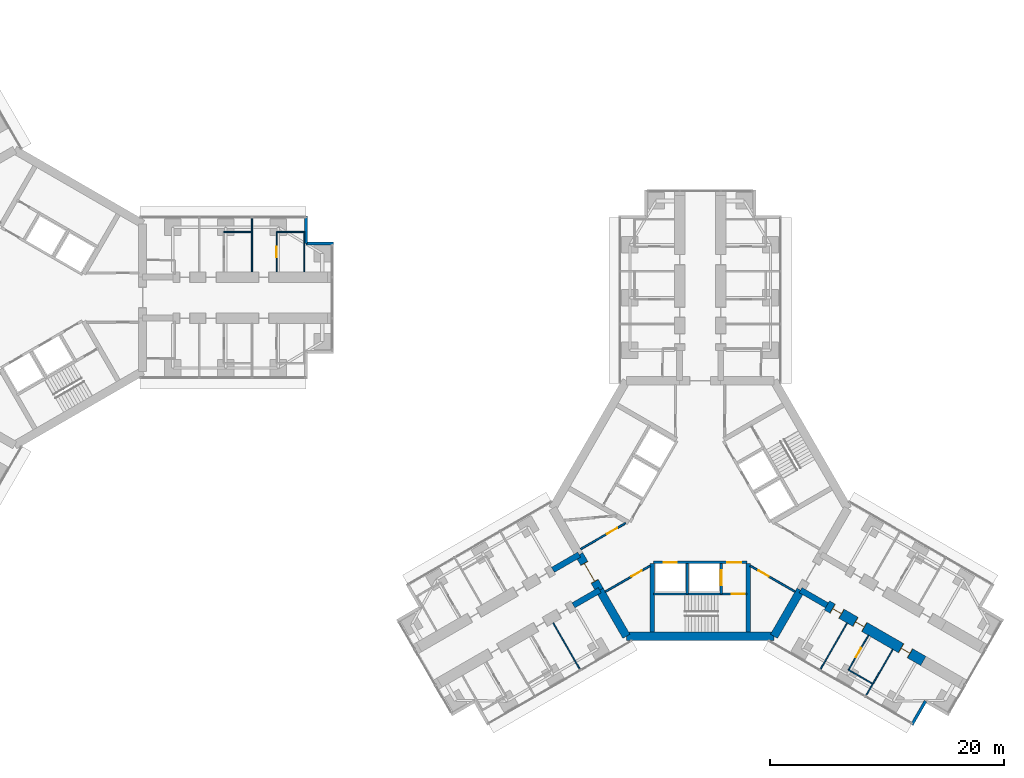
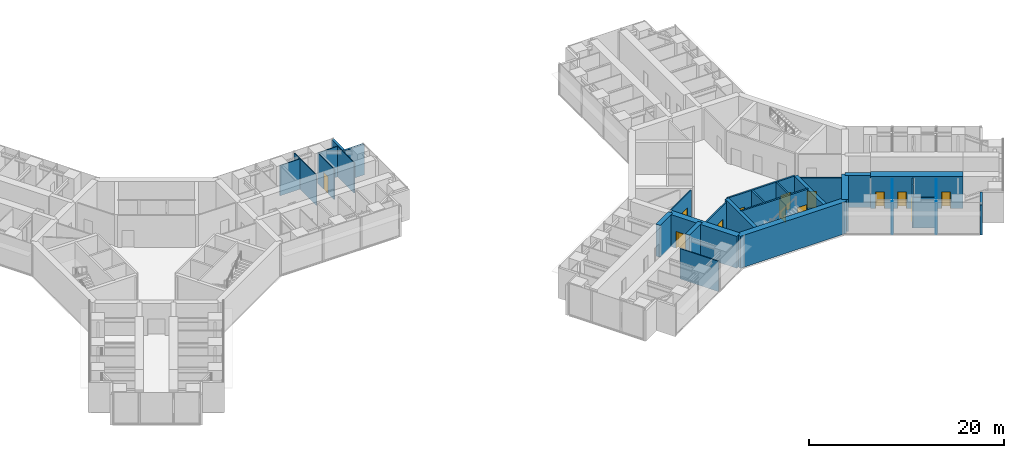
# One storey, part 20 of 25: 30 walls, 13 doors, 13 openings.
"""IFC4 building model written with IfcOpenShell, lengths in metres."""

from ifc_helpers import new_model, si_unit, direction, frame, frame_2d, origin, place, context, subcontext, project, spatial, rectangle, extrude, material, layer, layer_set, type_object, element, fill, save


model = new_model("IFC4")

# Units and contexts
model_context = context("Model", 3, precision=1e-05, world=origin(), true_north=direction((0.0, 1.0)))
body_context = subcontext(model_context, "Body", "Model", "MODEL_VIEW")
ifc_project = project(units=[si_unit("LENGTHUNIT", "METRE"), si_unit("AREAUNIT", "SQUARE_METRE"), si_unit("VOLUMEUNIT", "CUBIC_METRE"), si_unit("PLANEANGLEUNIT", "RADIAN"), si_unit("MASSUNIT", "GRAM", prefix="KILO")], contexts=[model_context])

# Site, building, storey
site_placement = place(None, origin())
site = spatial("IfcSite", under=ifc_project, at=site_placement, CompositionType="ELEMENT")
building_placement = place(site_placement, origin())
building = spatial("IfcBuilding", under=site, at=building_placement, Name="Upepo Twin Towers", CompositionType="ELEMENT")
storey_placement = place(building_placement, frame((0.0, 0.0, 84.5)))
storey = spatial("IfcBuildingStorey", under=building, at=storey_placement, Name="L20", CompositionType="ELEMENT", Elevation=84.5)

# Walls
ifc_material_1 = material(Name="Concrete C60/75", Category="concrete")
ifc_layer_1 = layer(ifc_material_1, 0.5)
ifc_layer_set_1 = layer_set([ifc_layer_1], Name="Concrete C60/75")
wall_type_1 = type_object("IfcWallType", Name="Buttress wall 500 RC", PredefinedType="SHEAR", material=ifc_layer_set_1)
for number, where, z_axis, x_axis, name in (
    (1, (49.92822265625, -24.9697265625, 0.0), (0.0, 0.0, 1.0), (-0.866031863473, -0.499988811324, 0.0), "T2 wing B buttress wall L"),
    (2, (48.17822265625, -21.938720703125, 0.0), (0.0, 0.0, 1.0), (-0.866072649678, -0.499918158782, 0.0), "T2 wing B buttress wall R"),
    (3, (67.07177734375, -24.9697265625, 0.0), (0.0, 0.0, 1.0), (0.866031863473, -0.499988811324, 0.0), "T2 wing C buttress wall R"),
):
    element("IfcWall", number, at=place(storey_placement, frame(where, z_axis=z_axis, x_axis=x_axis)), inside=storey, type_object=wall_type_1, Name=name, PredefinedType="SHEAR", context=body_context, shape_type="SweptSolid", body=[
        extrude(rectangle(XDim=2.591796875, YDim=0.5, at=frame_2d((1.2958984375, 0.0))), origin(), (0.0, 0.0, 1.0), 4.0),
    ])

# Wall, openings, doors
ifc_material_2 = material(Name="Concrete C60/75", Category="concrete")
ifc_layer_2 = layer(ifc_material_2, 0.89990234375)
ifc_layer_set_2 = layer_set([ifc_layer_2], Name="Concrete C60/75")
wall_type_2 = type_object("IfcWallType", Name="Buttress wall 900 RC", PredefinedType="SHEAR", material=ifc_layer_set_2)
wall_1_placement = place(storey_placement, frame((69.31640625, -26.265625, 0.0), z_axis=(0.0, 0.0, 1.0), x_axis=(0.86602681393, -0.499997557548, 0.0)))
wall_1 = element("IfcWall", 4, at=wall_1_placement, inside=storey, type_object=wall_type_2, Name="T2 wing C buttress wall R part 2", PredefinedType="SHEAR", context=body_context, shape_type="SweptSolid", body=[
    extrude(rectangle(XDim=9.5, YDim=0.89990234375, at=frame_2d((4.75, 0.0))), origin(), (0.0, 0.0, 1.0), 4.0),
])
opening_1_placement = place(wall_1_placement, frame((0.550048828125, 0.0, 0.0)))
opening_1 = element("IfcOpeningElement", 5, at=opening_1_placement, cuts=wall_1, Name="Opening D14", PredefinedType="OPENING", context=body_context, shape_type="SweptSolid", body=[
    extrude(rectangle(XDim=0.89990234375, YDim=2.10009765625, at=frame_2d((0.449951171875, 1.050048828125))), frame((0.0, 0.4599609375, 0.0), z_axis=(0.0, -1.0, 0.0), x_axis=(1.0, 0.0, 0.0)), (0.0, 0.0, 1.0), 0.919921875),
])
opening_2_placement = place(wall_1_placement, frame((2.800048828125, 0.0, 0.0)))
opening_2 = element("IfcOpeningElement", 6, at=opening_2_placement, cuts=wall_1, Name="Opening D14", PredefinedType="OPENING", context=body_context, shape_type="SweptSolid", body=[
    extrude(rectangle(XDim=0.89990234375, YDim=2.10009765625, at=frame_2d((0.449951171875, 1.050048828125))), frame((0.0, 0.4599609375, 0.0), z_axis=(0.0, -1.0, 0.0), x_axis=(1.0, 0.0, 0.0)), (0.0, 0.0, 1.0), 0.919921875),
])
opening_3_placement = place(wall_1_placement, frame((7.300048828125, 0.0, 0.0)))
opening_3 = element("IfcOpeningElement", 7, at=opening_3_placement, cuts=wall_1, Name="Opening D14", PredefinedType="OPENING", context=body_context, shape_type="SweptSolid", body=[
    extrude(rectangle(XDim=0.89990234375, YDim=2.10009765625, at=frame_2d((0.449951171875, 1.050048828125))), frame((0.0, 0.4599609375, 0.0), z_axis=(0.0, -1.0, 0.0), x_axis=(1.0, 0.0, 0.0)), (0.0, 0.0, 1.0), 0.919921875),
])
ifc_material_3 = material(Name="Timber doorset", Category="wood")
door_type_1 = type_object("IfcDoorType", Name="Office door 900 FD30", OperationType="SINGLE_SWING_LEFT", PredefinedType="DOOR", material=ifc_material_3)
door_1_placement = place(opening_1_placement, origin())
door_1 = element("IfcDoor", 8, at=door_1_placement, inside=storey, type_object=door_type_1, Name="T2 L20 meeting room door", OperationType="SINGLE_SWING_LEFT", OverallHeight=2.10009765625, OverallWidth=0.89990234375, PredefinedType="DOOR", context=body_context, shape_type="SweptSolid", body=[
    extrude(rectangle(XDim=0.81990234375, YDim=2.06009765625, at=frame_2d((0.449951171875, 1.030029296875))), frame((0.0, 0.02490234375, 0.0), z_axis=(0.0, -1.0, 0.0), x_axis=(1.0, 0.0, 0.0)), (0.0, 0.0, 1.0), 0.050048828125),
    extrude(rectangle(XDim=0.04, YDim=2.10009765625, at=frame_2d((0.02001953125, 1.050048828125))), frame((0.0, 0.44970703125, 0.0), z_axis=(0.0, -1.0, 0.0), x_axis=(1.0, 0.0, 0.0)), (0.0, 0.0, 1.0), 0.8994140625),
    extrude(rectangle(XDim=0.04, YDim=2.10009765625, at=frame_2d((0.8798828125, 1.050048828125))), frame((0.0, 0.44970703125, 0.0), z_axis=(0.0, -1.0, 0.0), x_axis=(1.0, 0.0, 0.0)), (0.0, 0.0, 1.0), 0.8994140625),
    extrude(rectangle(XDim=0.81990234375, YDim=0.04, at=frame_2d((0.449951171875, 2.080078125))), frame((0.0, 0.44970703125, 0.0), z_axis=(0.0, -1.0, 0.0), x_axis=(1.0, 0.0, 0.0)), (0.0, 0.0, 1.0), 0.8994140625),
])
fill(opening_1, door_1)
door_2_placement = place(opening_2_placement, origin())
door_2 = element("IfcDoor", 9, at=door_2_placement, inside=storey, type_object=door_type_1, Name="T2 L20 staff office door", OperationType="SINGLE_SWING_LEFT", OverallHeight=2.10009765625, OverallWidth=0.89990234375, PredefinedType="DOOR", context=body_context, shape_type="SweptSolid", body=[
    extrude(rectangle(XDim=0.81990234375, YDim=2.06009765625, at=frame_2d((0.449951171875, 1.030029296875))), frame((0.0, 0.02490234375, 0.0), z_axis=(0.0, -1.0, 0.0), x_axis=(1.0, 0.0, 0.0)), (0.0, 0.0, 1.0), 0.050048828125),
    extrude(rectangle(XDim=0.04, YDim=2.10009765625, at=frame_2d((0.02001953125, 1.050048828125))), frame((0.0, 0.44970703125, 0.0), z_axis=(0.0, -1.0, 0.0), x_axis=(1.0, 0.0, 0.0)), (0.0, 0.0, 1.0), 0.8994140625),
    extrude(rectangle(XDim=0.04, YDim=2.10009765625, at=frame_2d((0.8798828125, 1.050048828125))), frame((0.0, 0.44970703125, 0.0), z_axis=(0.0, -1.0, 0.0), x_axis=(1.0, 0.0, 0.0)), (0.0, 0.0, 1.0), 0.8994140625),
    extrude(rectangle(XDim=0.81990234375, YDim=0.04, at=frame_2d((0.449951171875, 2.080078125))), frame((0.0, 0.44970703125, 0.0), z_axis=(0.0, -1.0, 0.0), x_axis=(1.0, 0.0, 0.0)), (0.0, 0.0, 1.0), 0.8994140625),
])
fill(opening_2, door_2)
door_3_placement = place(opening_3_placement, origin())
door_3 = element("IfcDoor", 10, at=door_3_placement, inside=storey, type_object=door_type_1, Name="T2 L20 postgraduate office door", OperationType="SINGLE_SWING_RIGHT", OverallHeight=2.10009765625, OverallWidth=0.89990234375, PredefinedType="DOOR", context=body_context, shape_type="SweptSolid", body=[
    extrude(rectangle(XDim=0.81990234375, YDim=2.06009765625, at=frame_2d((0.449951171875, 1.030029296875))), frame((0.0, 0.02490234375, 0.0), z_axis=(0.0, -1.0, 0.0), x_axis=(1.0, 0.0, 0.0)), (0.0, 0.0, 1.0), 0.050048828125),
    extrude(rectangle(XDim=0.04, YDim=2.10009765625, at=frame_2d((0.02001953125, 1.050048828125))), frame((0.0, 0.44970703125, 0.0), z_axis=(0.0, -1.0, 0.0), x_axis=(1.0, 0.0, 0.0)), (0.0, 0.0, 1.0), 0.8994140625),
    extrude(rectangle(XDim=0.04, YDim=2.10009765625, at=frame_2d((0.8798828125, 1.050048828125))), frame((0.0, 0.44970703125, 0.0), z_axis=(0.0, -1.0, 0.0), x_axis=(1.0, 0.0, 0.0)), (0.0, 0.0, 1.0), 0.8994140625),
    extrude(rectangle(XDim=0.81990234375, YDim=0.04, at=frame_2d((0.449951171875, 2.080078125))), frame((0.0, 0.44970703125, 0.0), z_axis=(0.0, -1.0, 0.0), x_axis=(1.0, 0.0, 0.0)), (0.0, 0.0, 1.0), 0.8994140625),
])
fill(opening_3, door_3)

# Wall, opening, door
ifc_material_4 = material(Name="Concrete C60/75", Category="concrete")
ifc_layer_3 = layer(ifc_material_4, 0.699951171875)
ifc_layer_set_3 = layer_set([ifc_layer_3], Name="Concrete C60/75")
wall_type_3 = type_object("IfcWallType", Name="Core wall 700 RC", PredefinedType="SHEAR", material=ifc_layer_set_3)
wall_2_placement = place(storey_placement, frame((48.17822265625, -21.938720703125, 0.0), z_axis=(0.0, 0.0, 1.0), x_axis=(0.500010275428, -0.866019471182, 0.0)))
wall_2 = element("IfcWall", 11, at=wall_2_placement, inside=storey, type_object=wall_type_3, Name="T2 core wall 120", PredefinedType="SHEAR", context=body_context, shape_type="SweptSolid", body=[
    extrude(rectangle(XDim=3.5, YDim=0.699951171875, at=frame_2d((1.75, 0.0))), origin(), (0.0, 0.0, 1.0), 4.0),
])
opening_4_placement = place(wall_2_placement, frame((0.85009765625, 0.0, 0.0)))
opening_4 = element("IfcOpeningElement", 12, at=opening_4_placement, cuts=wall_2, Name="Opening D2", PredefinedType="OPENING", context=body_context, shape_type="SweptSolid", body=[
    extrude(rectangle(XDim=1.800048828125, YDim=2.10009765625, at=frame_2d((0.89990234375, 1.050048828125))), frame((0.0, 0.35986328125, 0.0), z_axis=(0.0, -1.0, 0.0), x_axis=(1.0, 0.0, 0.0)), (0.0, 0.0, 1.0), 0.719970703125),
])
ifc_material_5 = material(Name="Timber doorset", Category="wood")
door_type_2 = type_object("IfcDoorType", Name="Corridor double door 1800 FD60", OperationType="DOUBLE_DOOR_DOUBLE_SWING", PredefinedType="DOOR", material=ifc_material_5)
door_4_placement = place(opening_4_placement, origin())
door_4 = element("IfcDoor", 13, at=door_4_placement, inside=storey, type_object=door_type_2, Name="T2 L20 wing B corridor door", OperationType="DOUBLE_DOOR_DOUBLE_SWING", OverallHeight=2.10009765625, OverallWidth=1.800048828125, PredefinedType="DOOR", context=body_context, shape_type="SweptSolid", body=[
    extrude(rectangle(XDim=1.720048828125, YDim=2.06009765625, at=frame_2d((0.89990234375, 1.030029296875))), frame((0.0, 0.02490234375, 0.0), z_axis=(0.0, -1.0, 0.0), x_axis=(1.0, 0.0, 0.0)), (0.0, 0.0, 1.0), 0.050048828125),
    extrude(rectangle(XDim=0.04, YDim=2.10009765625, at=frame_2d((0.02001953125, 1.050048828125))), frame((0.0, 0.349609375, 0.0), z_axis=(0.0, -1.0, 0.0), x_axis=(1.0, 0.0, 0.0)), (0.0, 0.0, 1.0), 0.699462890625),
    extrude(rectangle(XDim=0.04, YDim=2.10009765625, at=frame_2d((1.780029296875, 1.050048828125))), frame((0.0, 0.349609375, 0.0), z_axis=(0.0, -1.0, 0.0), x_axis=(1.0, 0.0, 0.0)), (0.0, 0.0, 1.0), 0.699462890625),
    extrude(rectangle(XDim=1.720048828125, YDim=0.04, at=frame_2d((0.89990234375, 2.080078125))), frame((0.0, 0.349609375, 0.0), z_axis=(0.0, -1.0, 0.0), x_axis=(1.0, 0.0, 0.0)), (0.0, 0.0, 1.0), 0.699462890625),
])
fill(opening_4, door_4)

# Walls
wall_3_placement = place(storey_placement, frame((49.92822265625, -24.9697265625, 0.0), z_axis=(0.0, 0.0, 1.0), x_axis=(0.499984222037, -0.866034513004, 0.0)))
element("IfcWall", 14, at=wall_3_placement, inside=storey, type_object=wall_type_3, Name="T2 core wall 120 L", PredefinedType="SHEAR", context=body_context, shape_type="SweptSolid", body=[
    extrude(rectangle(XDim=4.548095703125, YDim=0.699951171875, at=frame_2d((2.27392578125, 0.0))), origin(), (0.0, 0.0, 1.0), 4.0),
])
wall_4_placement = place(storey_placement, frame((52.2021484375, -28.908447265625, 0.0), z_axis=(0.0, 0.0, 1.0), x_axis=(1.0, 0.0, 0.0)))
element("IfcWall", 15, at=wall_4_placement, inside=storey, type_object=wall_type_3, Name="T2 core wall 180", PredefinedType="SHEAR", context=body_context, shape_type="SweptSolid", body=[
    extrude(rectangle(XDim=12.595703125, YDim=0.699951171875, at=frame_2d((6.2978515625, 0.0))), origin(), (0.0, 0.0, 1.0), 4.0),
])
wall_5_placement = place(storey_placement, frame((64.7978515625, -28.908447265625, 0.0), z_axis=(0.0, 0.0, 1.0), x_axis=(0.499984222037, 0.866034513004, 0.0)))
element("IfcWall", 16, at=wall_5_placement, inside=storey, type_object=wall_type_3, Name="T2 core wall 240 R", PredefinedType="SHEAR", context=body_context, shape_type="SweptSolid", body=[
    extrude(rectangle(XDim=4.548095703125, YDim=0.699951171875, at=frame_2d((2.27392578125, 0.0))), origin(), (0.0, 0.0, 1.0), 4.0),
])
ifc_material_6 = material(Name="Blockwork with anodised aluminium cladding", Category="masonry")
ifc_layer_4 = layer(ifc_material_6, 0.25)
ifc_layer_set_4 = layer_set([ifc_layer_4], Name="Notch cladding wall 250, pale metal")
wall_type_4 = type_object("IfcWallType", Name="Notch cladding wall 250, pale metal", PredefinedType="STANDARD", material=ifc_layer_set_4)
for number, where, z_axis, x_axis, name in (
    (17, (24.875, 6.949951171875, 0.0), (0.0, 0.0, 1.0), (0.0, -1.0, 0.0), "T1 L20 wing A notch wall L1"),
    (18, (24.875, 4.625, 0.0), (0.0, 0.0, 1.0), (1.0, 0.0, 0.0), "T1 L20 wing A notch wall L2"),
    (19, (76.5673828125, -36.456298828125, 0.0), (0.0, 0.0, 1.0), (0.500046648681, 0.865998469481, 0.0), "T2 L20 wing C notch wall R1"),
):
    element("IfcWall", number, at=place(storey_placement, frame(where, z_axis=z_axis, x_axis=x_axis)), inside=storey, type_object=wall_type_4, Name=name, PredefinedType="STANDARD", context=body_context, shape_type="SweptSolid", body=[
        extrude(rectangle(XDim=2.324951171875, YDim=0.25, at=frame_2d((1.16259765625, 0.0))), origin(), (0.0, 0.0, 1.0), 3.800048828125),
    ])
ifc_material_7 = material(Name="Gypsum board on steel studs", Category="steel")
ifc_layer_5 = layer(ifc_material_7, 0.10009765625)
ifc_layer_set_5 = layer_set([ifc_layer_5], Name="Office partition 100 stud")
wall_type_5 = type_object("IfcWallType", Name="Office partition 100 stud", PredefinedType="PARTITIONING", material=ifc_layer_set_5)
wall_6_placement = place(storey_placement, frame((20.25, 2.199951171875, 0.0), z_axis=(0.0, 0.0, 1.0), x_axis=(0.0, 1.0, 0.0)))
element("IfcWall", 20, at=wall_6_placement, inside=storey, type_object=wall_type_5, Name="T1 partition AL at 20.25", PredefinedType="PARTITIONING", context=body_context, shape_type="SweptSolid", body=[
    extrude(rectangle(XDim=4.550048828125, YDim=0.10009765625, at=frame_2d((2.27490234375, 0.0))), origin(), (0.0, 0.0, 1.0), 3.800048828125),
])
for number, where, z_axis, x_axis, name in (
    (21, (17.85009765625, 5.60009765625, 0.0), (0.0, 0.0, 1.0), (1.0, 0.0, 0.0), "T1 inner room partition AL at 17.85"),
    (22, (22.35009765625, 5.60009765625, 0.0), (0.0, 0.0, 1.0), (1.0, 0.0, 0.0), "T1 inner room partition AL at 22.35"),
):
    element("IfcWall", number, at=place(storey_placement, frame(where, z_axis=z_axis, x_axis=x_axis)), inside=storey, type_object=wall_type_5, Name=name, PredefinedType="PARTITIONING", context=body_context, shape_type="SweptSolid", body=[
        extrude(rectangle(XDim=2.39990234375, YDim=0.10009765625, at=frame_2d((1.199951171875, 0.0))), origin(), (0.0, 0.0, 1.0), 3.800048828125),
    ])

# Wall, opening, door
wall_7_placement = place(storey_placement, frame((22.35009765625, 2.199951171875, 0.0), z_axis=(0.0, 0.0, 1.0), x_axis=(0.0, 1.0, 0.0)))
wall_7 = element("IfcWall", 23, at=wall_7_placement, inside=storey, type_object=wall_type_5, Name="T1 inner room partition AL end at 22.35", PredefinedType="PARTITIONING", context=body_context, shape_type="SweptSolid", body=[
    extrude(rectangle(XDim=3.400146484375, YDim=0.10009765625, at=frame_2d((1.7001953125, 0.0))), origin(), (0.0, 0.0, 1.0), 3.800048828125),
])
opening_5_placement = place(wall_7_placement, frame((1.25, 0.0, 0.0)))
opening_5 = element("IfcOpeningElement", 24, at=opening_5_placement, cuts=wall_7, Name="Opening D14", PredefinedType="OPENING", context=body_context, shape_type="SweptSolid", body=[
    extrude(rectangle(XDim=0.89990234375, YDim=2.10009765625, at=frame_2d((0.449951171875, 1.050048828125))), frame((0.0, 0.06005859375, 0.0), z_axis=(0.0, -1.0, 0.0), x_axis=(1.0, 0.0, 0.0)), (0.0, 0.0, 1.0), 0.1201171875),
])
door_5_placement = place(opening_5_placement, origin())
door_5 = element("IfcDoor", 25, at=door_5_placement, inside=storey, type_object=door_type_1, Name="T1 L20 inner room door", OperationType="SINGLE_SWING_LEFT", OverallHeight=2.10009765625, OverallWidth=0.89990234375, PredefinedType="DOOR", context=body_context, shape_type="SweptSolid", body=[
    extrude(rectangle(XDim=0.89990234375, YDim=2.10009765625, at=frame_2d((0.449951171875, 1.050048828125))), frame((0.0, 0.02490234375, 0.0), z_axis=(0.0, -1.0, 0.0), x_axis=(1.0, 0.0, 0.0)), (0.0, 0.0, 1.0), 0.050048828125),
])
fill(opening_5, door_5)

# Walls
wall_8_placement = place(storey_placement, frame((24.699951171875, 2.199951171875, 0.0), z_axis=(0.0, 0.0, 1.0), x_axis=(0.0, 1.0, 0.0)))
element("IfcWall", 26, at=wall_8_placement, inside=storey, type_object=wall_type_5, Name="T1 inner room partition AL end at 24.75", PredefinedType="PARTITIONING", context=body_context, shape_type="SweptSolid", body=[
    extrude(rectangle(XDim=3.400146484375, YDim=0.10009765625, at=frame_2d((1.7001953125, 0.0))), origin(), (0.0, 0.0, 1.0), 3.800048828125),
])
for number, where, z_axis, x_axis, name in (
    (27, (45.960205078125, -27.7802734375, 0.0), (0.0, 0.0, 1.0), (0.499982560684, -0.866035472144, 0.0), "T2 partition BL at 15.75"),
    (28, (71.039794921875, -27.7802734375, 0.0), (0.0, 0.0, 1.0), (-0.499982560684, -0.866035472144, 0.0), "T2 partition CR at 15.75"),
    (29, (74.93701171875, -30.0302734375, 0.0), (0.0, 0.0, 1.0), (-0.499982560684, -0.866035472144, 0.0), "T2 partition CR at 20.25"),
):
    element("IfcWall", number, at=place(storey_placement, frame(where, z_axis=z_axis, x_axis=x_axis)), inside=storey, type_object=wall_type_5, Name=name, PredefinedType="PARTITIONING", context=body_context, shape_type="SweptSolid", body=[
        extrude(rectangle(XDim=4.550048828125, YDim=0.10009765625, at=frame_2d((2.27490234375, 0.0))), origin(), (0.0, 0.0, 1.0), 3.800048828125),
    ])
wall_9_placement = place(storey_placement, frame((71.158447265625, -31.774658203125, 0.0), z_axis=(0.0, 0.0, 1.0), x_axis=(0.866006032174, -0.500033551112, 0.0)))
element("IfcWall", 30, at=wall_9_placement, inside=storey, type_object=wall_type_5, Name="T2 inner room partition CR at 17.85", PredefinedType="PARTITIONING", context=body_context, shape_type="SweptSolid", body=[
    extrude(rectangle(XDim=2.400146484375, YDim=0.10009765625, at=frame_2d((1.2001953125, 0.0))), origin(), (0.0, 0.0, 1.0), 3.800048828125),
])

# Wall, opening, door
wall_10_placement = place(storey_placement, frame((72.858642578125, -28.830322265625, 0.0), z_axis=(0.0, 0.0, 1.0), x_axis=(-0.500062241894, -0.865989465428, 0.0)))
wall_10 = element("IfcWall", 31, at=wall_10_placement, inside=storey, type_object=wall_type_5, Name="T2 inner room partition CR end at 17.85", PredefinedType="PARTITIONING", context=body_context, shape_type="SweptSolid", body=[
    extrude(rectangle(XDim=3.39990234375, YDim=0.10009765625, at=frame_2d((1.699951171875, 0.0))), origin(), (0.0, 0.0, 1.0), 3.800048828125),
])
opening_6_placement = place(wall_10_placement, frame((1.25, 0.0, 0.0)))
opening_6 = element("IfcOpeningElement", 32, at=opening_6_placement, cuts=wall_10, Name="Opening D14", PredefinedType="OPENING", context=body_context, shape_type="SweptSolid", body=[
    extrude(rectangle(XDim=0.89990234375, YDim=2.10009765625, at=frame_2d((0.449951171875, 1.050048828125))), frame((0.0, 0.06005859375, 0.0), z_axis=(0.0, -1.0, 0.0), x_axis=(1.0, 0.0, 0.0)), (0.0, 0.0, 1.0), 0.1201171875),
])
door_6_placement = place(opening_6_placement, origin())
door_6 = element("IfcDoor", 33, at=door_6_placement, inside=storey, type_object=door_type_1, Name="T2 L20 inner room door", OperationType="SINGLE_SWING_LEFT", OverallHeight=2.10009765625, OverallWidth=0.89990234375, PredefinedType="DOOR", context=body_context, shape_type="SweptSolid", body=[
    extrude(rectangle(XDim=0.89990234375, YDim=2.10009765625, at=frame_2d((0.449951171875, 1.050048828125))), frame((0.0, 0.02490234375, 0.0), z_axis=(0.0, -1.0, 0.0), x_axis=(1.0, 0.0, 0.0)), (0.0, 0.0, 1.0), 0.050048828125),
])
fill(opening_6, door_6)

# Wall, openings, doors
ifc_material_8 = material(Name="Concrete C40/50", Category="concrete")
ifc_layer_6 = layer(ifc_material_8, 0.199951171875)
ifc_layer_set_6 = layer_set([ifc_layer_6], Name="Concrete C40/50")
wall_type_6 = type_object("IfcWallType", Name="Shaft wall 200 RC", PredefinedType="SHEAR", material=ifc_layer_set_6)
wall_11_placement = place(storey_placement, frame((54.5, -22.60009765625, 0.0), z_axis=(0.0, 0.0, 1.0), x_axis=(1.0, 0.0, 0.0)))
wall_11 = element("IfcWall", 34, at=wall_11_placement, inside=storey, type_object=wall_type_6, Name="T2 core W180 front wall", PredefinedType="SHEAR", context=body_context, shape_type="SweptSolid", body=[
    extrude(rectangle(XDim=8.0, YDim=0.199951171875, at=frame_2d((4.0, 0.0))), origin(), (0.0, 0.0, 1.0), 4.0),
])
opening_7_placement = place(wall_11_placement, frame((6.300048828125, 0.0, 0.0)))
opening_7 = element("IfcOpeningElement", 35, at=opening_7_placement, cuts=wall_11, Name="Opening D4", PredefinedType="OPENING", context=body_context, shape_type="SweptSolid", body=[
    extrude(rectangle(XDim=1.199951171875, YDim=2.10009765625, at=frame_2d((0.60009765625, 1.050048828125))), frame((0.0, 0.10986328125, 0.0), z_axis=(0.0, -1.0, 0.0), x_axis=(1.0, 0.0, 0.0)), (0.0, 0.0, 1.0), 0.219970703125),
])
opening_8_placement = place(wall_11_placement, frame((0.89990234375, 0.0, 0.0)))
opening_8 = element("IfcOpeningElement", 36, at=opening_8_placement, cuts=wall_11, Name="Opening LD1", PredefinedType="OPENING", context=body_context, shape_type="SweptSolid", body=[
    extrude(rectangle(XDim=1.10009765625, YDim=2.199951171875, at=frame_2d((0.550048828125, 1.10009765625))), frame((0.0, 0.10986328125, 0.0), z_axis=(0.0, -1.0, 0.0), x_axis=(1.0, 0.0, 0.0)), (0.0, 0.0, 1.0), 0.219970703125),
])
ifc_material_9 = material(Name="Steel doorset", Category="steel")
door_type_3 = type_object("IfcDoorType", Name="Lift landing door 1100", OperationType="DOUBLE_DOOR_SLIDING", PredefinedType="DOOR", material=ifc_material_9)
door_7_placement = place(opening_8_placement, origin())
door_7 = element("IfcDoor", 37, at=door_7_placement, inside=storey, type_object=door_type_3, Name="T2 L20 lift SV1 landing door", OperationType="DOUBLE_DOOR_SLIDING", OverallHeight=2.199951171875, OverallWidth=1.10009765625, PredefinedType="DOOR", context=body_context, shape_type="SweptSolid", body=[
    extrude(rectangle(XDim=1.10009765625, YDim=2.199951171875, at=frame_2d((0.550048828125, 1.10009765625))), frame((0.0, 0.02490234375, 0.0), z_axis=(0.0, -1.0, 0.0), x_axis=(1.0, 0.0, 0.0)), (0.0, 0.0, 1.0), 0.050048828125),
])
fill(opening_8, door_7)
ifc_material_10 = material(Name="Timber doorset", Category="wood")
door_type_4 = type_object("IfcDoorType", Name="Lobby door 1200 FD60", OperationType="SINGLE_SWING_LEFT", PredefinedType="DOOR", material=ifc_material_10)
door_8_placement = place(opening_7_placement, origin())
door_8 = element("IfcDoor", 38, at=door_8_placement, inside=storey, type_object=door_type_4, Name="T2 L20 W180 lobby door", OperationType="SINGLE_SWING_RIGHT", OverallHeight=2.10009765625, OverallWidth=1.199951171875, PredefinedType="DOOR", context=body_context, shape_type="SweptSolid", body=[
    extrude(rectangle(XDim=1.199951171875, YDim=2.10009765625, at=frame_2d((0.60009765625, 1.050048828125))), frame((0.0, 0.02490234375, 0.0), z_axis=(0.0, -1.0, 0.0), x_axis=(1.0, 0.0, 0.0)), (0.0, 0.0, 1.0), 0.050048828125),
])
fill(opening_7, door_8)

# Wall
wall_12_placement = place(storey_placement, frame((57.39990234375, -22.699951171875, 0.0), z_axis=(0.0, 0.0, 1.0), x_axis=(0.0, -1.0, 0.0)))
element("IfcWall", 39, at=wall_12_placement, inside=storey, type_object=wall_type_6, Name="T2 core W180 shaft divider", PredefinedType="SHEAR", context=body_context, shape_type="SweptSolid", body=[
    extrude(rectangle(XDim=2.60009765625, YDim=0.199951171875, at=frame_2d((1.300048828125, 0.0))), origin(), (0.0, 0.0, 1.0), 4.0),
])

# Wall, opening, door
wall_13_placement = place(storey_placement, frame((60.300048828125, -22.699951171875, 0.0), z_axis=(0.0, 0.0, 1.0), x_axis=(0.0, -1.0, 0.0)))
wall_13 = element("IfcWall", 40, at=wall_13_placement, inside=storey, type_object=wall_type_6, Name="T2 core W180 lobby wall", PredefinedType="SHEAR", context=body_context, shape_type="SweptSolid", body=[
    extrude(rectangle(XDim=2.60009765625, YDim=0.199951171875, at=frame_2d((1.300048828125, 0.0))), origin(), (0.0, 0.0, 1.0), 4.0),
])
opening_9_placement = place(wall_13_placement, frame((0.550048828125, 0.0, 0.0)))
opening_9 = element("IfcOpeningElement", 41, at=opening_9_placement, cuts=wall_13, Name="Opening LD2", PredefinedType="OPENING", context=body_context, shape_type="SweptSolid", body=[
    extrude(rectangle(XDim=1.300048828125, YDim=2.199951171875, at=frame_2d((0.64990234375, 1.10009765625))), frame((0.0, 0.10986328125, 0.0), z_axis=(0.0, -1.0, 0.0), x_axis=(1.0, 0.0, 0.0)), (0.0, 0.0, 1.0), 0.219970703125),
])
ifc_material_11 = material(Name="Steel doorset", Category="steel")
door_type_5 = type_object("IfcDoorType", Name="Firefighting lift landing door 1300", OperationType="DOUBLE_DOOR_SLIDING", PredefinedType="DOOR", material=ifc_material_11)
door_9_placement = place(opening_9_placement, origin())
door_9 = element("IfcDoor", 42, at=door_9_placement, inside=storey, type_object=door_type_5, Name="T2 L20 firefighting lift landing door", OperationType="DOUBLE_DOOR_SLIDING", OverallHeight=2.199951171875, OverallWidth=1.300048828125, PredefinedType="DOOR", context=body_context, shape_type="SweptSolid", body=[
    extrude(rectangle(XDim=1.300048828125, YDim=2.199951171875, at=frame_2d((0.64990234375, 1.10009765625))), frame((0.0, 0.02490234375, 0.0), z_axis=(0.0, -1.0, 0.0), x_axis=(1.0, 0.0, 0.0)), (0.0, 0.0, 1.0), 0.050048828125),
])
fill(opening_9, door_9)

wall_14_placement = place(storey_placement, frame((54.5, -25.300048828125, 0.0), z_axis=(0.0, 0.0, 1.0), x_axis=(1.0, 0.0, 0.0)))
wall_14 = element("IfcWall", 43, at=wall_14_placement, inside=storey, type_object=wall_type_6, Name="T2 core W180 stair wall", PredefinedType="SHEAR", context=body_context, shape_type="SweptSolid", body=[
    extrude(rectangle(XDim=8.0, YDim=0.199951171875, at=frame_2d((4.0, 0.0))), origin(), (0.0, 0.0, 1.0), 4.0),
])
opening_10_placement = place(wall_14_placement, frame((6.699951171875, 0.0, 0.0)))
opening_10 = element("IfcOpeningElement", 44, at=opening_10_placement, cuts=wall_14, Name="Opening D3", PredefinedType="OPENING", context=body_context, shape_type="SweptSolid", body=[
    extrude(rectangle(XDim=1.10009765625, YDim=2.10009765625, at=frame_2d((0.550048828125, 1.050048828125))), frame((0.0, 0.10986328125, 0.0), z_axis=(0.0, -1.0, 0.0), x_axis=(1.0, 0.0, 0.0)), (0.0, 0.0, 1.0), 0.219970703125),
])
ifc_material_12 = material(Name="Timber doorset", Category="wood")
door_type_6 = type_object("IfcDoorType", Name="Stair door 1100 FD60", OperationType="SINGLE_SWING_LEFT", PredefinedType="DOOR", material=ifc_material_12)
door_10_placement = place(opening_10_placement, origin())
door_10 = element("IfcDoor", 45, at=door_10_placement, inside=storey, type_object=door_type_6, Name="T2 L20 stair door", OperationType="SINGLE_SWING_RIGHT", OverallHeight=2.10009765625, OverallWidth=1.10009765625, PredefinedType="DOOR", context=body_context, shape_type="SweptSolid", body=[
    extrude(rectangle(XDim=1.10009765625, YDim=2.10009765625, at=frame_2d((0.550048828125, 1.050048828125))), frame((0.0, 0.02490234375, 0.0), z_axis=(0.0, -1.0, 0.0), x_axis=(1.0, 0.0, 0.0)), (0.0, 0.0, 1.0), 0.050048828125),
])
fill(opening_10, door_10)

# Walls
ifc_material_13 = material(Name="Concrete C40/50", Category="concrete")
ifc_layer_7 = layer(ifc_material_13, 0.39990234375)
ifc_layer_set_7 = layer_set([ifc_layer_7], Name="Concrete C40/50")
wall_type_7 = type_object("IfcWallType", Name="Shaft wall 400 RC", PredefinedType="SHEAR", material=ifc_layer_set_7)
for number, where, z_axis, x_axis, name in (
    (46, (62.60009765625, -22.699951171875, 0.0), (0.0, 0.0, 1.0), (0.0, -1.0, 0.0), "T2 core W180 side wall N"),
    (47, (54.39990234375, -22.699951171875, 0.0), (0.0, 0.0, 1.0), (0.0, -1.0, 0.0), "T2 core W180 side wall S"),
):
    element("IfcWall", number, at=place(storey_placement, frame(where, z_axis=z_axis, x_axis=x_axis)), inside=storey, type_object=wall_type_7, Name=name, PredefinedType="SHEAR", context=body_context, shape_type="SweptSolid", body=[
        extrude(rectangle(XDim=5.8583984375, YDim=0.39990234375, at=frame_2d((2.92919921875, 0.0))), origin(), (0.0, 0.0, 1.0), 4.0),
    ])

# Wall, opening, door
ifc_material_14 = material(Name="Gypsum board on steel studs", Category="steel")
ifc_layer_8 = layer(ifc_material_14, 0.14990234375)
ifc_layer_set_8 = layer_set([ifc_layer_8], Name="Teaching partition 150 acoustic")
wall_type_8 = type_object("IfcWallType", Name="Teaching partition 150 acoustic", PredefinedType="PARTITIONING", material=ifc_layer_set_8)
wall_15_placement = place(storey_placement, frame((48.297607421875, -21.465576171875, 0.0), z_axis=(0.0, 0.0, 1.0), x_axis=(0.866021148949, 0.500007369519, 0.0)))
wall_15 = element("IfcWall", 48, at=wall_15_placement, inside=storey, type_object=wall_type_8, Name="T2 core room partition 1", PredefinedType="PARTITIONING", context=body_context, shape_type="SweptSolid", body=[
    extrude(rectangle(XDim=4.42578125, YDim=0.14990234375, at=frame_2d((2.212890625, 0.0))), origin(), (0.0, 0.0, 1.0), 3.800048828125),
])
opening_11_placement = place(wall_15_placement, frame((2.597900390625, 0.0, 0.0)))
opening_11 = element("IfcOpeningElement", 49, at=opening_11_placement, cuts=wall_15, Name="Opening D1", PredefinedType="OPENING", context=body_context, shape_type="SweptSolid", body=[
    extrude(rectangle(XDim=1.0, YDim=2.10009765625, at=frame_2d((0.5, 1.050048828125))), frame((0.0, 0.0849609375, 0.0), z_axis=(0.0, -1.0, 0.0), x_axis=(1.0, 0.0, 0.0)), (0.0, 0.0, 1.0), 0.169921875),
])
ifc_material_15 = material(Name="Timber doorset", Category="wood")
door_type_7 = type_object("IfcDoorType", Name="Room door 1000 FD30", OperationType="SINGLE_SWING_LEFT", PredefinedType="DOOR", material=ifc_material_15)
door_11_placement = place(opening_11_placement, origin())
door_11 = element("IfcDoor", 50, at=door_11_placement, inside=storey, type_object=door_type_7, Name="T2 L20 core room door K2", OperationType="SINGLE_SWING_RIGHT", OverallHeight=2.10009765625, OverallWidth=1.0, PredefinedType="DOOR", context=body_context, shape_type="SweptSolid", body=[
    extrude(rectangle(XDim=1.0, YDim=2.10009765625, at=frame_2d((0.5, 1.050048828125))), frame((0.0, 0.02490234375, 0.0), z_axis=(0.0, -1.0, 0.0), x_axis=(1.0, 0.0, 0.0)), (0.0, 0.0, 1.0), 0.050048828125),
])
fill(opening_11, door_11)

wall_16_placement = place(storey_placement, frame((66.6025390625, -25.102783203125, 0.0), z_axis=(0.0, 0.0, 1.0), x_axis=(-0.866021148949, 0.500007369519, 0.0)))
wall_16 = element("IfcWall", 51, at=wall_16_placement, inside=storey, type_object=wall_type_8, Name="T2 core room partition 5", PredefinedType="PARTITIONING", context=body_context, shape_type="SweptSolid", body=[
    extrude(rectangle(XDim=4.42578125, YDim=0.14990234375, at=frame_2d((2.212890625, 0.0))), origin(), (0.0, 0.0, 1.0), 3.800048828125),
])
opening_12_placement = place(wall_16_placement, frame((2.597900390625, 0.0, 0.0)))
opening_12 = element("IfcOpeningElement", 52, at=opening_12_placement, cuts=wall_16, Name="Opening D1", PredefinedType="OPENING", context=body_context, shape_type="SweptSolid", body=[
    extrude(rectangle(XDim=1.0, YDim=2.10009765625, at=frame_2d((0.5, 1.050048828125))), frame((0.0, 0.0849609375, 0.0), z_axis=(0.0, -1.0, 0.0), x_axis=(1.0, 0.0, 0.0)), (0.0, 0.0, 1.0), 0.169921875),
])
door_12_placement = place(opening_12_placement, origin())
door_12 = element("IfcDoor", 53, at=door_12_placement, inside=storey, type_object=door_type_7, Name="T2 L20 core room door K4", OperationType="SINGLE_SWING_RIGHT", OverallHeight=2.10009765625, OverallWidth=1.0, PredefinedType="DOOR", context=body_context, shape_type="SweptSolid", body=[
    extrude(rectangle(XDim=1.0, YDim=2.10009765625, at=frame_2d((0.5, 1.050048828125))), frame((0.0, 0.02490234375, 0.0), z_axis=(0.0, -1.0, 0.0), x_axis=(1.0, 0.0, 0.0)), (0.0, 0.0, 1.0), 0.050048828125),
])
fill(opening_12, door_12)

wall_17_placement = place(storey_placement, frame((54.230224609375, -22.889892578125, 0.0), z_axis=(0.0, 0.0, 1.0), x_axis=(-0.866021148949, -0.500007369519, 0.0)))
wall_17 = element("IfcWall", 54, at=wall_17_placement, inside=storey, type_object=wall_type_8, Name="T2 core room partition 6", PredefinedType="PARTITIONING", context=body_context, shape_type="SweptSolid", body=[
    extrude(rectangle(XDim=4.42578125, YDim=0.14990234375, at=frame_2d((2.212890625, 0.0))), origin(), (0.0, 0.0, 1.0), 3.800048828125),
])
opening_13_placement = place(wall_17_placement, frame((0.82763671875, 0.0, 0.0)))
opening_13 = element("IfcOpeningElement", 55, at=opening_13_placement, cuts=wall_17, Name="Opening D1", PredefinedType="OPENING", context=body_context, shape_type="SweptSolid", body=[
    extrude(rectangle(XDim=1.0, YDim=2.10009765625, at=frame_2d((0.5, 1.050048828125))), frame((0.0, 0.0849609375, 0.0), z_axis=(0.0, -1.0, 0.0), x_axis=(1.0, 0.0, 0.0)), (0.0, 0.0, 1.0), 0.169921875),
])
door_13_placement = place(opening_13_placement, origin())
door_13 = element("IfcDoor", 56, at=door_13_placement, inside=storey, type_object=door_type_7, Name="T2 L20 core room door K3", OperationType="SINGLE_SWING_LEFT", OverallHeight=2.10009765625, OverallWidth=1.0, PredefinedType="DOOR", context=body_context, shape_type="SweptSolid", body=[
    extrude(rectangle(XDim=1.0, YDim=2.10009765625, at=frame_2d((0.5, 1.050048828125))), frame((0.0, 0.02490234375, 0.0), z_axis=(0.0, -1.0, 0.0), x_axis=(1.0, 0.0, 0.0)), (0.0, 0.0, 1.0), 0.050048828125),
])
fill(opening_13, door_13)

save(model, "model.ifc")
